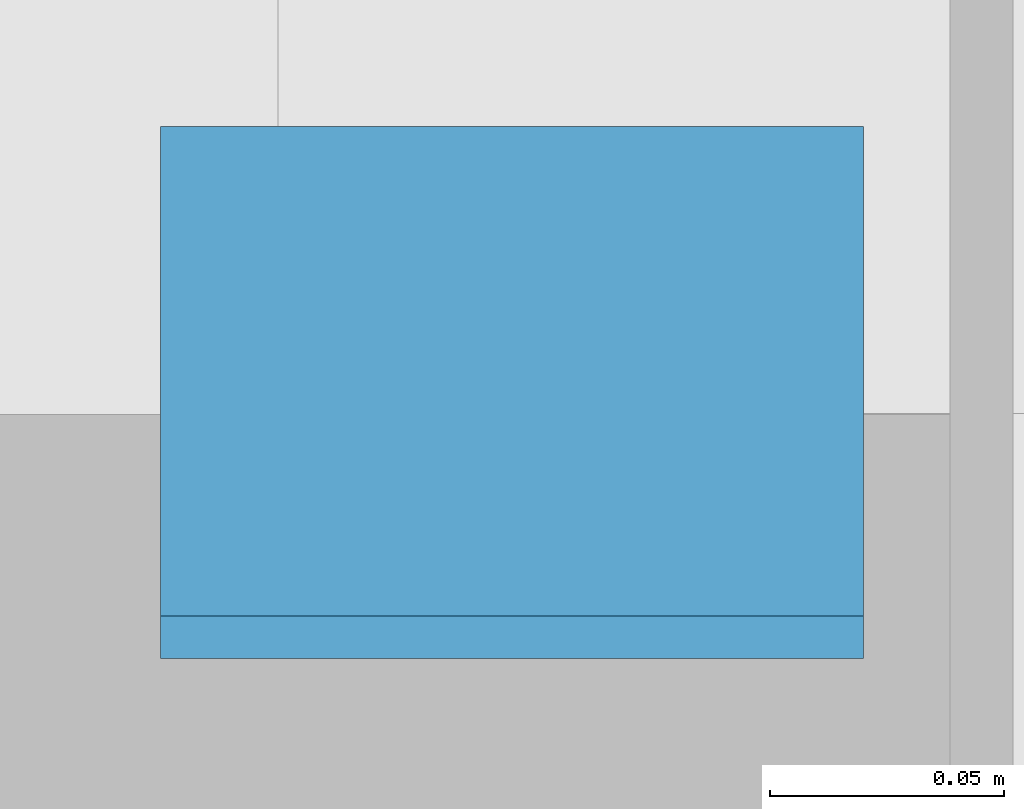
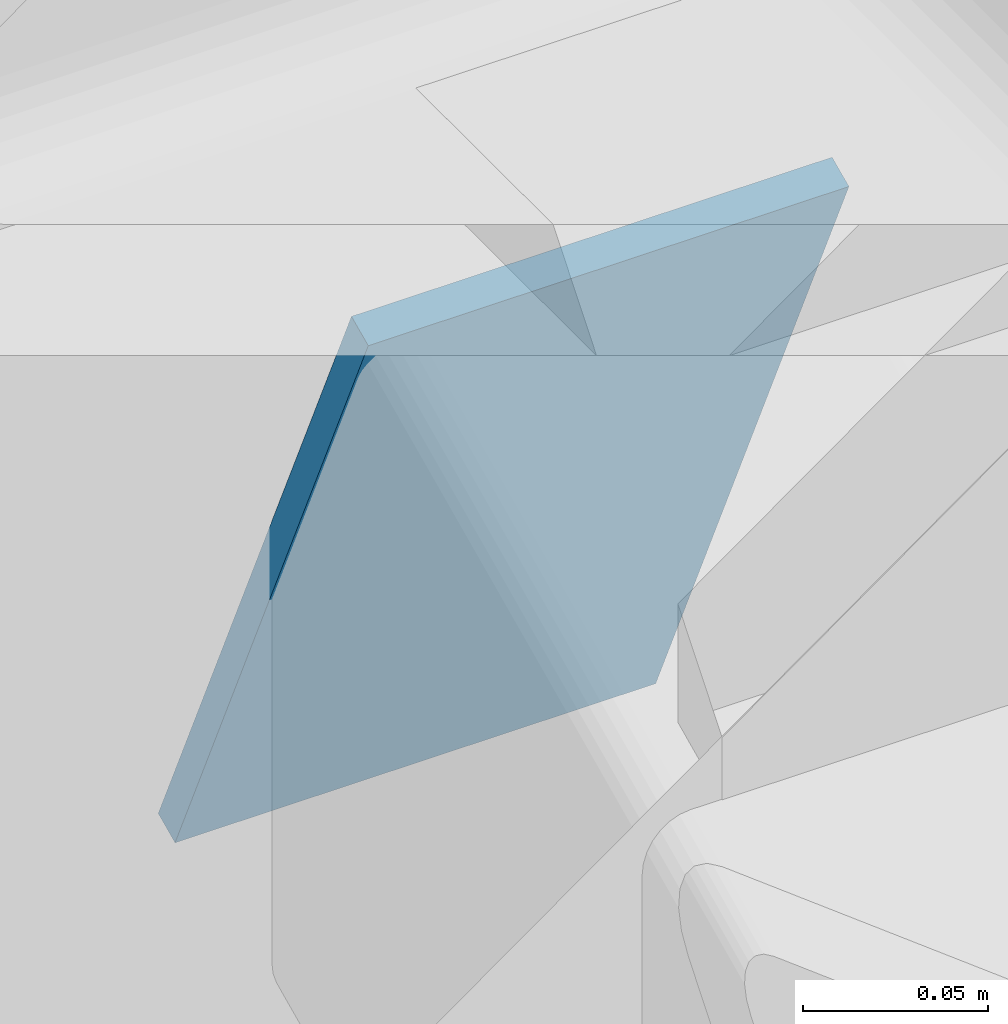
# One storey, part 92 of 126: 1 discrete accessory.
"""IFC4 building model written with IfcOpenShell, lengths in metres."""

import ifcopenshell
import ifcopenshell.guid

model = None  # the IFC model being written
_history = None  # IfcOwnerHistory: only IFC2X3 demands one
_inside = {}  # id of a spatial element -> (the spatial element, [elements in it])
_under = {}  # id of a project, library or spatial element -> (it, [spatial elements below it])
_declared = {}  # id of a project -> (the project, [libraries it declares])
_typed = {}  # id of a type object -> (the type object, [elements of that type])
_made_of = {}  # id of a material, layer set ... -> (it, [elements and type objects made of it])


def new_model(schema):
    """Start an empty IFC model of exactly this schema.

    Asked for "IFC4X3", IfcOpenShell would pick the latest addendum, in which some entities
    have other attributes; the version numbers below select the first issue.
    IFC2X3 requires an IfcOwnerHistory on every rooted entity: one is made here for all.
    """
    global model, _history
    if schema == "IFC4X3":
        model = ifcopenshell.file(schema_version=(4, 3, 0, 0))
    else:
        model = ifcopenshell.file(schema=schema)
    _inside.clear()
    _under.clear()
    _declared.clear()
    _typed.clear()
    _made_of.clear()
    _history = None
    if model.schema == "IFC2X3":
        org = make("IfcOrganization", Name="unknown")
        user = make(
            "IfcPersonAndOrganization",
            ThePerson=make("IfcPerson", FamilyName="unknown"),
            TheOrganization=org,
        )
        app = make(
            "IfcApplication",
            ApplicationDeveloper=org,
            Version="unknown",
            ApplicationFullName="unknown",
            ApplicationIdentifier="unknown",
        )
        _history = make(
            "IfcOwnerHistory",
            OwningUser=user,
            OwningApplication=app,
            ChangeAction="ADDED",
            CreationDate=0,
        )
    return model


def make(cls, **values):
    """One entity of the class cls with the attributes given. An attribute that is None is left unset."""
    return model.create_entity(
        cls, **{name: value for name, value in values.items() if value is not None}
    )


def rooted(cls, **values):
    """An entity with a GlobalId (a new one), such as an element, a storey or a relation."""
    return make(cls, GlobalId=ifcopenshell.guid.new(), OwnerHistory=_history, **values)


def si_unit(unit_type, name, prefix=None):
    """IfcSIUnit, for example si_unit("LENGTHUNIT", "METRE", prefix="MILLI")."""
    return make("IfcSIUnit", UnitType=unit_type, Prefix=prefix, Name=name)


def assignment(units):
    """IfcUnitAssignment: the units of a project."""
    return None if units is None else make("IfcUnitAssignment", Units=units)


def point(xyz):
    """IfcCartesianPoint."""
    return None if xyz is None else make("IfcCartesianPoint", Coordinates=xyz)


def direction(xyz):
    """IfcDirection."""
    return None if xyz is None else make("IfcDirection", DirectionRatios=xyz)


def frame(location, z_axis=None, x_axis=None):
    """IfcAxis2Placement3D, a coordinate frame: its origin and axes. An axis left out is left unset."""
    return make(
        "IfcAxis2Placement3D",
        Location=point(location),
        Axis=direction(z_axis),
        RefDirection=direction(x_axis),
    )


def frame_2d(location, x_axis=None):
    """IfcAxis2Placement2D, a coordinate frame in the plane: its origin and x axis."""
    return make(
        "IfcAxis2Placement2D", Location=point(location), RefDirection=direction(x_axis)
    )


def origin():
    """The frame at (0, 0, 0) with its axes left unset."""
    return frame((0.0, 0.0, 0.0))


def origin_2d():
    """The frame at (0, 0) in the plane with its x axis left unset."""
    return frame_2d((0.0, 0.0))


def place(relative_to, where):
    """IfcLocalPlacement: puts the frame where relative to a parent placement (None: the world)."""
    return make(
        "IfcLocalPlacement", PlacementRelTo=relative_to, RelativePlacement=where
    )


def context(
    kind, dimensions, precision=None, world=None, true_north=None, identifier=None
):
    """IfcGeometricRepresentationContext, for example the 3D "Model" context."""
    return make(
        "IfcGeometricRepresentationContext",
        ContextIdentifier=identifier,
        ContextType=kind,
        CoordinateSpaceDimension=dimensions,
        Precision=precision,
        WorldCoordinateSystem=world,
        TrueNorth=true_north,
    )


def subcontext(parent, identifier, kind, view, scale=None):
    """IfcGeometricRepresentationSubContext, for example "Body" below "Model"."""
    return make(
        "IfcGeometricRepresentationSubContext",
        ContextIdentifier=identifier,
        ContextType=kind,
        ParentContext=parent,
        TargetScale=scale,
        TargetView=view,
    )


def project(units=None, contexts=None):
    """IfcProject with its units and contexts."""
    return rooted(
        "IfcProject",
        Name="project",
        RepresentationContexts=contexts,
        UnitsInContext=assignment(units),
    )


def spatial(cls, under=None, at=None, **own):
    """A site, building, storey or space (cls), placed at a placement, below another one or the project."""
    s = rooted(cls, ObjectPlacement=at, **own)
    if under is not None:
        _under.setdefault(under.id(), (under, []))[1].append(s)
    return s


def profile(cls, at=None, kind="AREA", **sizes):
    """A parametric profile (cls). Its sizes go by their IFC names, for example OverallWidth=200.0."""
    return make(cls, ProfileType=kind, Position=at, **sizes)


def rectangle(**sizes):
    """IfcRectangleProfileDef."""
    return profile("IfcRectangleProfileDef", **sizes)


def extrude(swept, where, along, depth):
    """IfcExtrudedAreaSolid: the profile swept, set in the frame where, extruded along a direction by depth."""
    return make(
        "IfcExtrudedAreaSolid",
        SweptArea=swept,
        Position=where,
        ExtrudedDirection=direction(along),
        Depth=depth,
    )


def shape(context_of_items, identifier, shape_type, items):
    """IfcShapeRepresentation: the items that make up one representation, for example the "Body"."""
    return make(
        "IfcShapeRepresentation",
        ContextOfItems=context_of_items,
        RepresentationIdentifier=identifier,
        RepresentationType=shape_type,
        Items=items,
    )


def material(Name=None, Category=None):
    """IfcMaterial."""
    return make("IfcMaterial", Name=Name, Category=Category)


def material_profile(
    of_material, cross_section, Name=None, Category=None, Priority=None
):
    """IfcMaterialProfile: a cross section and its material."""
    return make(
        "IfcMaterialProfile",
        Name=Name,
        Material=of_material,
        Profile=cross_section,
        Priority=Priority,
        Category=Category,
    )


def profile_set(profiles, Name=None, composite=None):
    """IfcMaterialProfileSet."""
    return make(
        "IfcMaterialProfileSet",
        Name=Name,
        MaterialProfiles=profiles,
        CompositeProfile=composite,
    )


def made_of(thing, what):
    """Note that an element or type object is made of a material, layer set ...; save() writes the relation."""
    if what is not None:
        _made_of.setdefault(what.id(), (what, []))[1].append(thing)
    return thing


def type_object(cls, material=None, **own):
    """A type object (cls), such as IfcWallType, which elements share."""
    return made_of(rooted(cls, **own), material)


def element(
    cls,
    number,
    at=None,
    inside=None,
    cuts=None,
    type_object=None,
    material=None,
    context=None,
    identifier="Body",
    shape_type=None,
    held_by="IfcProductDefinitionShape",
    body=None,
    shapes=None,
    **own,
):
    """One element of the class cls, such as IfcWall. Its Tag is "e" and its number.

    at: its placement. inside: the storey or other place that contains it. cuts: it is an
    opening in that element (IfcRelVoidsElement). A single representation is given by context,
    identifier, shape_type and body (its items); several are given by shapes. held_by: the class
    of the entity that holds the representations. save() writes the other relations.
    """
    e = rooted(cls, Tag="e%d" % number, ObjectPlacement=at, **own)
    if body is not None:
        shapes = [shape(context, identifier, shape_type, body)]
    if shapes is not None:
        e.Representation = make(held_by, Representations=shapes)
    if inside is not None:
        _inside.setdefault(inside.id(), (inside, []))[1].append(e)
    if cuts is not None:
        rooted(
            "IfcRelVoidsElement", RelatingBuildingElement=cuts, RelatedOpeningElement=e
        )
    if type_object is not None:
        _typed.setdefault(type_object.id(), (type_object, []))[1].append(e)
    return made_of(e, material)


def aggregate(whole, parts):
    """IfcRelAggregates: a whole, such as a stair, and the parts it consists of."""
    return rooted("IfcRelAggregates", RelatingObject=whole, RelatedObjects=parts)


def save(model, path):
    """Write the relations noted so far, then the file.

    IfcRelAggregates (storeys below a building ...), IfcRelContainedInSpatialStructure (elements
    in a storey), IfcRelDefinesByType, IfcRelAssociatesMaterial and IfcRelDeclares: one each for
    every whole, place, type object, material and project.
    """
    for whole, parts in _under.values():
        aggregate(whole, parts)
    for where, things in _inside.values():
        rooted(
            "IfcRelContainedInSpatialStructure",
            RelatedElements=things,
            RelatingStructure=where,
        )
    for kind, things in _typed.values():
        rooted("IfcRelDefinesByType", RelatedObjects=things, RelatingType=kind)
    for what, things in _made_of.values():
        rooted("IfcRelAssociatesMaterial", RelatedObjects=things, RelatingMaterial=what)
    for by, libraries in _declared.values():
        rooted("IfcRelDeclares", RelatingContext=by, RelatedDefinitions=libraries)
    model.write(path)


model = new_model("IFC4")

# Units and contexts
model_context = context("Model", 3, precision=1e-05, world=origin(), true_north=direction((0.0, 1.0)))
body_context = subcontext(model_context, "Body", "Model", "MODEL_VIEW")
ifc_project = project(units=[si_unit("LENGTHUNIT", "METRE"), si_unit("AREAUNIT", "SQUARE_METRE"), si_unit("VOLUMEUNIT", "CUBIC_METRE"), si_unit("PLANEANGLEUNIT", "RADIAN"), si_unit("MASSUNIT", "GRAM", prefix="KILO")], contexts=[model_context])

# Site, building, storey
site_placement = place(None, origin())
site = spatial("IfcSite", under=ifc_project, at=site_placement, CompositionType="ELEMENT")
building_placement = place(site_placement, origin())
building = spatial("IfcBuilding", under=site, at=building_placement, Name="Kallimachos Central Library", CompositionType="ELEMENT")
storey_placement = place(building_placement, origin())
storey = spatial("IfcBuildingStorey", under=building, at=storey_placement, Name="L00", CompositionType="ELEMENT", Elevation=0.0)

# Discrete accessory
ifc_material = material(Name="Steel S355J2", Category="steel")
ifc_material_profile = material_profile(ifc_material, rectangle(XDim=0.14990234375, YDim=0.25, at=origin_2d()), Name="End cap plate 10, 150x250")
ifc_profile_set = profile_set([ifc_material_profile], Name="Steel S355J2")
discrete_accessory_type = type_object("IfcDiscreteAccessoryType", Name="End cap plate 10, 150x250", PredefinedType="BRACKET", material=ifc_profile_set)
discrete_accessory_placement = place(storey_placement, frame((110.39990234375, 57.0, 4.5), z_axis=(0.0, 0.908676843963, 0.417500171551), x_axis=(-1.0, 0.0, 0.0)))
element("IfcDiscreteAccessory", 1, at=discrete_accessory_placement, inside=storey, type_object=discrete_accessory_type, Name="End cap plate", PredefinedType="BRACKET", context=body_context, shape_type="SweptSolid", body=[
    extrude(rectangle(XDim=0.14990234375, YDim=0.25, at=origin_2d()), origin(), (0.0, 0.0, 1.0), 0.010009765625),
])

save(model, "model.ifc")
